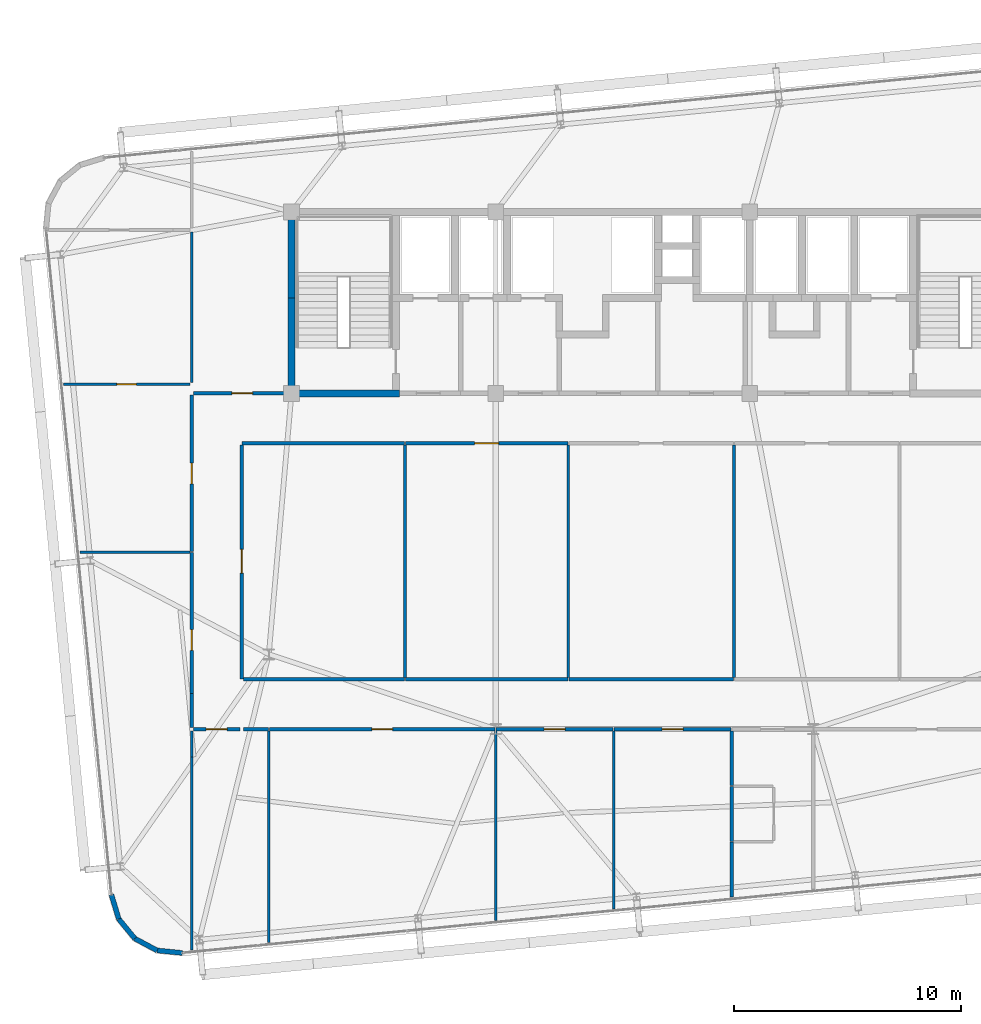
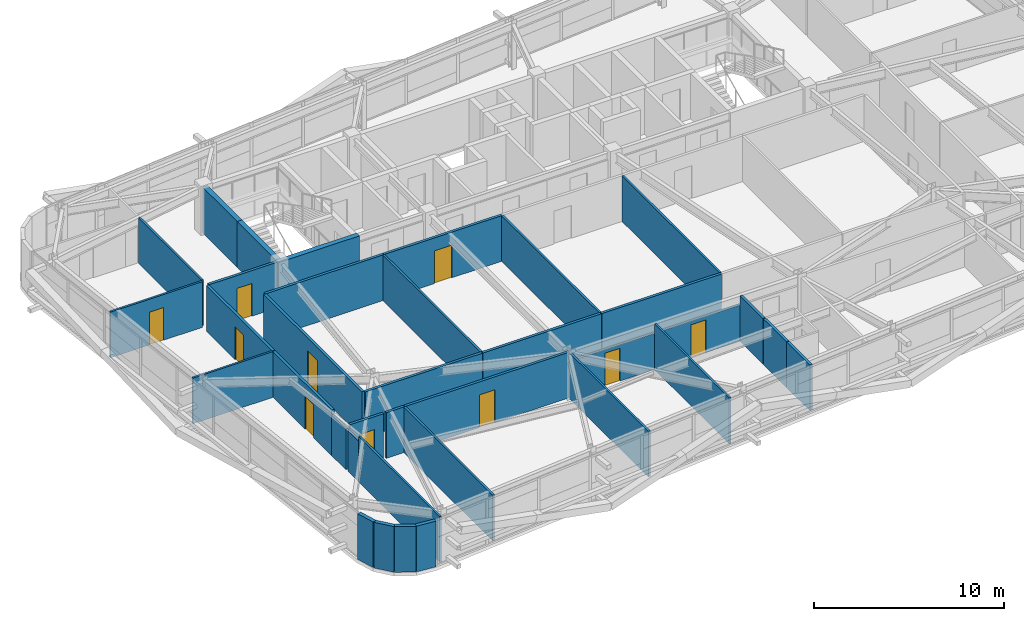
# One storey, part 46 of 52: 36 walls, 10 doors, 10 openings.
"""IFC4 building model written with IfcOpenShell, lengths in metres."""

from ifc_helpers import new_model, si_unit, direction, frame, frame_2d, origin, place, context, subcontext, project, spatial, rectangle, extrude, source, transform, mapped, material, layer, layer_set, type_object, element, fill, save


model = new_model("IFC4")

# Units and contexts
model_context = context("Model", 3, precision=1e-05, world=origin(), true_north=direction((0.0, 1.0)))
body_context = subcontext(model_context, "Body", "Model", "MODEL_VIEW")
ifc_project = project(units=[si_unit("LENGTHUNIT", "METRE"), si_unit("AREAUNIT", "SQUARE_METRE"), si_unit("VOLUMEUNIT", "CUBIC_METRE"), si_unit("PLANEANGLEUNIT", "RADIAN"), si_unit("MASSUNIT", "GRAM", prefix="KILO")], contexts=[model_context])

# Site, building, storey
site_placement = place(None, origin())
site = spatial("IfcSite", under=ifc_project, at=site_placement, CompositionType="ELEMENT")
building_placement = place(site_placement, origin())
building = spatial("IfcBuilding", under=site, at=building_placement, Name="Taldren Reach Tower", CompositionType="ELEMENT")
storey_placement = place(building_placement, frame((0.0, 0.0, 96.60009765625)))
storey = spatial("IfcBuildingStorey", under=building, at=storey_placement, Name="L29", CompositionType="ELEMENT", Elevation=96.60009765625)

# Walls
ifc_material_1 = material(Name="Pale Champagne Anodised Aluminium Cladding", Category="aluminium")
ifc_layer_1 = layer(ifc_material_1, 0.04, Name="Pale Champagne Anodised Aluminium Cladding", Category="aluminium")
ifc_material_2 = material(Name="Mineral Wool Acoustic Insulation", Category="insulation")
ifc_layer_2 = layer(ifc_material_2, 0.06, Name="Mineral Wool Acoustic Insulation", Category="insulation")
ifc_material_3 = material(Name="Steel Gr 350 (C350L0)", Category="steel")
ifc_layer_3 = layer(ifc_material_3, 0.12, Name="Steel Gr 350 (C350L0)", Category="steel")
ifc_layer_set_1 = layer_set([ifc_layer_1, ifc_layer_2, ifc_layer_3], Name="Pale Champagne Aluminium Cladding and Steel Gr 350 Stud Framing")
wall_type_1 = type_object("IfcWallType", Name="EW-CRN-220", PredefinedType="SOLIDWALL", material=ifc_layer_set_1)
shared_shape_1 = source(origin(), body_context, "Body", "SweptSolid", [
    extrude(rectangle(XDim=1.115966796875, YDim=0.219970703125, at=frame_2d((0.55810546875, 0.0))), origin(), (0.0, 0.0, 1.0), 2.929931640625),
])
for number, where, z_axis, x_axis, name in (
    (1, (11.062255859375, 1.90185546875, 0.0), (0.0, 0.0, 1.0), (0.289855603468, -0.957070388811, 0.0), "Rounded-corner pale-metal facade wall L29-SW1"),
    (2, (11.3857421875, 0.833740234375, 0.0), (0.0, 0.0, 1.0), (0.633988016432, -0.773342870285, 0.0), "Rounded-corner pale-metal facade wall L29-SW2"),
    (3, (13.0771484375, -0.5556640625, 0.0), (0.0, 0.0, 1.0), (0.995142755671, -0.09844234778, 0.0), "Rounded-corner pale-metal facade wall L29-SW4"),
):
    element("IfcWall", number, at=place(storey_placement, frame(where, z_axis=z_axis, x_axis=x_axis)), inside=storey, type_object=wall_type_1, Name=name, PredefinedType="SOLIDWALL", context=body_context, shape_type="MappedRepresentation", body=[
        mapped(shared_shape_1, transform((0.0, 0.0, 0.0), scale=1.0)),
    ])
shared_shape_2 = source(origin(), body_context, "Body", "SweptSolid", [
    extrude(rectangle(XDim=1.11572265625, YDim=0.219970703125, at=frame_2d((0.557861328125, 0.0))), origin(), (0.0, 0.0, 1.0), 2.929931640625),
])
wall_1_placement = place(storey_placement, frame((12.09326171875, -0.029296875, 0.0), z_axis=(0.0, 0.0, 1.0), x_axis=(0.881746547635, -0.471723463201, 0.0)))
element("IfcWall", 4, at=wall_1_placement, inside=storey, type_object=wall_type_1, Name="Rounded-corner pale-metal facade wall L29-SW3", PredefinedType="SOLIDWALL", context=body_context, shape_type="MappedRepresentation", body=[
    mapped(shared_shape_2, transform((0.0, 0.0, 0.0), scale=1.0)),
])

# Wall, opening, door
ifc_material_4 = material(Name="Fire-Rated Acoustic Plasterboard Stud Wall", Category="gypsum")
ifc_layer_4 = layer(ifc_material_4, 0.159912109375)
ifc_layer_set_2 = layer_set([ifc_layer_4], Name="Fire-Rated Acoustic Plasterboard Stud Wall")
wall_type_2 = type_object("IfcWallType", Name="IW-FIRE-160", PredefinedType="PARTITIONING", material=ifc_layer_set_2)
shared_shape_3 = source(origin(), body_context, "Body", "SweptSolid", [
    extrude(rectangle(XDim=10.2998046875, YDim=0.159912109375, at=frame_2d((5.14990234375, 0.0))), origin(), (0.0, 0.0, 1.0), 2.929931640625),
])
wall_2_placement = place(storey_placement, frame((16.800048828125, 21.719970703125, 0.0), z_axis=(0.0, 0.0, 1.0), x_axis=(0.0, -1.0, 0.0)))
wall_2 = element("IfcWall", 5, at=wall_2_placement, inside=storey, type_object=wall_type_2, Name="Interior Partition Wall W-INT-L29-047", PredefinedType="PARTITIONING", context=body_context, shape_type="MappedRepresentation", body=[
    mapped(shared_shape_3, transform((0.0, 0.0, 0.0), scale=1.0)),
])
shared_shape_4 = source(origin(), body_context, "Body", "SweptSolid", [
    extrude(rectangle(XDim=1.050048828125, YDim=2.10009765625, at=frame_2d((0.52490234375, 1.050048828125))), frame((0.0, 0.08984375, 0.0), z_axis=(0.0, -1.0, 0.0), x_axis=(1.0, 0.0, 0.0)), (0.0, 0.0, 1.0), 0.179931640625),
])
opening_1_placement = place(wall_2_placement, frame((4.594970703125, 0.0, 0.0)))
opening_1 = element("IfcOpeningElement", 6, at=opening_1_placement, cuts=wall_2, Name="Opening DF-105", PredefinedType="OPENING", context=body_context, shape_type="MappedRepresentation", body=[
    mapped(shared_shape_4, transform((0.0, 0.0, 0.0), scale=1.0)),
])
ifc_material_5 = material(Name="Fire-Rated Care and Stair Exit Door")
door_type_1 = type_object("IfcDoorType", Name="ID-FIRE-105", OperationType="NOTDEFINED", PredefinedType="DOOR", material=ifc_material_5)
shared_shape_5 = source(origin(), body_context, "Body", "SweptSolid", [
    extrude(rectangle(XDim=1.050048828125, YDim=2.10009765625, at=frame_2d((0.52490234375, 1.050048828125))), frame((0.0, 0.02490234375, 0.0), z_axis=(0.0, -1.0, 0.0), x_axis=(1.0, 0.0, 0.0)), (0.0, 0.0, 1.0), 0.050048828125),
])
door_1_placement = place(opening_1_placement, origin())
door_1 = element("IfcDoor", 7, at=door_1_placement, inside=storey, type_object=door_type_1, Name="Interior Door DR-L29-009", OperationType="SINGLE_SWING_RIGHT", OverallHeight=2.10009765625, OverallWidth=1.050048828125, PredefinedType="DOOR", context=body_context, shape_type="MappedRepresentation", body=[
    mapped(shared_shape_5, transform((0.0, 0.0, 0.0), scale=1.0)),
])
fill(opening_1, door_1)

shared_shape_6 = source(origin(), body_context, "Body", "SweptSolid", [
    extrude(rectangle(XDim=2.0400390625, YDim=0.159912109375, at=frame_2d((1.02001953125, 0.0))), origin(), (0.0, 0.0, 1.0), 2.929931640625),
])
wall_3_placement = place(storey_placement, frame((16.719970703125, 9.199951171875, 0.0), z_axis=(0.0, 0.0, 1.0), x_axis=(-1.0, 0.0, 0.0)))
wall_3 = element("IfcWall", 8, at=wall_3_placement, inside=storey, type_object=wall_type_2, Name="Interior Partition Wall W-INT-L29-054", PredefinedType="PARTITIONING", context=body_context, shape_type="MappedRepresentation", body=[
    mapped(shared_shape_6, transform((0.0, 0.0, 0.0), scale=1.0)),
])
shared_shape_7 = source(origin(), body_context, "Body", "SweptSolid", [
    extrude(rectangle(XDim=0.919921875, YDim=2.10009765625, at=frame_2d((0.4599609375, 1.050048828125))), frame((0.0, 0.08984375, 0.0), z_axis=(0.0, -1.0, 0.0), x_axis=(1.0, 0.0, 0.0)), (0.0, 0.0, 1.0), 0.179931640625),
])
opening_2_placement = place(wall_3_placement, frame((0.56005859375, 0.0, 0.0)))
opening_2 = element("IfcOpeningElement", 9, at=opening_2_placement, cuts=wall_3, Name="Opening DI-092", PredefinedType="OPENING", context=body_context, shape_type="MappedRepresentation", body=[
    mapped(shared_shape_7, transform((0.0, 0.0, 0.0), scale=1.0)),
])
ifc_material_6 = material(Name="Solid-Core Timber Suite Door", Category="wood")
door_type_2 = type_object("IfcDoorType", Name="ID-INT-092", OperationType="NOTDEFINED", PredefinedType="DOOR", material=ifc_material_6)
shared_shape_8 = source(origin(), body_context, "Body", "SweptSolid", [
    extrude(rectangle(XDim=0.919921875, YDim=2.10009765625, at=frame_2d((0.4599609375, 1.050048828125))), frame((0.0, 0.02490234375, 0.0), z_axis=(0.0, -1.0, 0.0), x_axis=(1.0, 0.0, 0.0)), (0.0, 0.0, 1.0), 0.050048828125),
])
door_2_placement = place(opening_2_placement, origin())
door_2 = element("IfcDoor", 10, at=door_2_placement, inside=storey, type_object=door_type_2, Name="Interior Door DR-L29-014", OperationType="SINGLE_SWING_LEFT", OverallHeight=2.10009765625, OverallWidth=0.919921875, PredefinedType="DOOR", context=body_context, shape_type="MappedRepresentation", body=[
    mapped(shared_shape_8, transform((0.0, 0.0, 0.0), scale=1.0)),
])
fill(opening_2, door_2)

# Walls
shared_shape_9 = source(origin(), body_context, "Body", "SweptSolid", [
    extrude(rectangle(XDim=1.099853515625, YDim=0.159912109375, at=frame_2d((0.5498046875, 0.0))), origin(), (0.0, 0.0, 1.0), 2.929931640625),
])
wall_4_placement = place(storey_placement, frame((17.979736328125, 9.199951171875, 0.0), z_axis=(0.0, 0.0, 1.0), x_axis=(-1.0, 0.0, 0.0)))
element("IfcWall", 11, at=wall_4_placement, inside=storey, type_object=wall_type_2, Name="Interior Partition Wall W-INT-L29-067", PredefinedType="PARTITIONING", context=body_context, shape_type="MappedRepresentation", body=[
    mapped(shared_shape_9, transform((0.0, 0.0, 0.0), scale=1.0)),
])
shared_shape_10 = source(origin(), body_context, "Body", "SweptSolid", [
    extrude(rectangle(XDim=2.40966796875, YDim=0.159912109375, at=frame_2d((1.204833984375, 0.0))), origin(), (0.0, 0.0, 1.0), 2.929931640625),
])
wall_5_placement = place(storey_placement, frame((38.39990234375, 6.668212890625, 0.0), z_axis=(0.0, 0.0, 1.0), x_axis=(0.0, -1.0, 0.0)))
element("IfcWall", 12, at=wall_5_placement, inside=storey, type_object=wall_type_2, Name="Interior Partition Wall W-INT-L29-084", PredefinedType="PARTITIONING", context=body_context, shape_type="MappedRepresentation", body=[
    mapped(shared_shape_10, transform((0.0, 0.0, 0.0), scale=1.0)),
])

# Wall, opening, door
shared_shape_11 = source(origin(), body_context, "Body", "SweptSolid", [
    extrude(rectangle(XDim=9.95947265625, YDim=0.159912109375, at=frame_2d((4.979736328125, 0.0))), origin(), (0.0, 0.0, 1.0), 2.929931640625),
])
wall_6_placement = place(storey_placement, frame((27.979736328125, 9.199951171875, 0.0), z_axis=(0.0, 0.0, 1.0), x_axis=(-1.0, 0.0, 0.0)))
wall_6 = element("IfcWall", 13, at=wall_6_placement, inside=storey, type_object=wall_type_2, Name="Interior Partition Wall W-INT-L29-068", PredefinedType="PARTITIONING", context=body_context, shape_type="MappedRepresentation", body=[
    mapped(shared_shape_11, transform((0.0, 0.0, 0.0), scale=1.0)),
])
opening_3_placement = place(wall_6_placement, frame((4.519775390625, 0.0, 0.0)))
opening_3 = element("IfcOpeningElement", 14, at=opening_3_placement, cuts=wall_6, Name="Opening DI-092", PredefinedType="OPENING", context=body_context, shape_type="MappedRepresentation", body=[
    mapped(shared_shape_7, transform((0.0, 0.0, 0.0), scale=1.0)),
])
door_3_placement = place(opening_3_placement, origin())
door_3 = element("IfcDoor", 15, at=door_3_placement, inside=storey, type_object=door_type_2, Name="Interior Door DR-L29-021", OperationType="SINGLE_SWING_RIGHT", OverallHeight=2.10009765625, OverallWidth=0.919921875, PredefinedType="DOOR", context=body_context, shape_type="MappedRepresentation", body=[
    mapped(shared_shape_8, transform((0.0, 0.0, 0.0), scale=1.0)),
])
fill(opening_3, door_3)

# Wall
shared_shape_12 = source(origin(), body_context, "Body", "SweptSolid", [
    extrude(rectangle(XDim=7.159423828125, YDim=0.159912109375, at=frame_2d((3.57958984375, 0.0))), origin(), (0.0, 0.0, 1.0), 2.929931640625),
])
wall_7_placement = place(storey_placement, frame((23.979736328125, 21.800048828125, 0.0), z_axis=(0.0, 0.0, 1.0), x_axis=(-1.0, 0.0, 0.0)))
element("IfcWall", 16, at=wall_7_placement, inside=storey, type_object=wall_type_2, Name="Interior Partition Wall W-INT-L29-048", PredefinedType="PARTITIONING", context=body_context, shape_type="MappedRepresentation", body=[
    mapped(shared_shape_12, transform((0.0, 0.0, 0.0), scale=1.0)),
])

# Wall, opening, door
wall_8_placement = place(storey_placement, frame((31.1796875, 21.800048828125, 0.0), z_axis=(0.0, 0.0, 1.0), x_axis=(-1.0, 0.0, 0.0)))
wall_8 = element("IfcWall", 17, at=wall_8_placement, inside=storey, type_object=wall_type_2, Name="Interior Partition Wall W-INT-L29-049", PredefinedType="PARTITIONING", context=body_context, shape_type="MappedRepresentation", body=[
    mapped(shared_shape_12, transform((0.0, 0.0, 0.0), scale=1.0)),
])
opening_4_placement = place(wall_8_placement, frame((3.0546875, 0.0, 0.0)))
opening_4 = element("IfcOpeningElement", 18, at=opening_4_placement, cuts=wall_8, Name="Opening DF-105", PredefinedType="OPENING", context=body_context, shape_type="MappedRepresentation", body=[
    mapped(shared_shape_4, transform((0.0, 0.0, 0.0), scale=1.0)),
])
door_4_placement = place(opening_4_placement, origin())
door_4 = element("IfcDoor", 19, at=door_4_placement, inside=storey, type_object=door_type_1, Name="Interior Door DR-L29-010", OperationType="SINGLE_SWING_LEFT", OverallHeight=2.10009765625, OverallWidth=1.050048828125, PredefinedType="DOOR", context=body_context, shape_type="MappedRepresentation", body=[
    mapped(shared_shape_5, transform((0.0, 0.0, 0.0), scale=1.0)),
])
fill(opening_4, door_4)

# Walls
wall_9_placement = place(storey_placement, frame((24.020263671875, 11.39990234375, 0.0), z_axis=(0.0, 0.0, 1.0), x_axis=(1.0, 0.0, 0.0)))
element("IfcWall", 20, at=wall_9_placement, inside=storey, type_object=wall_type_2, Name="Interior Partition Wall W-INT-L29-063", PredefinedType="PARTITIONING", context=body_context, shape_type="MappedRepresentation", body=[
    mapped(shared_shape_12, transform((0.0, 0.0, 0.0), scale=1.0)),
])
shared_shape_13 = source(origin(), body_context, "Body", "SweptSolid", [
    extrude(rectangle(XDim=7.259521484375, YDim=0.159912109375, at=frame_2d((3.6298828125, 0.0))), origin(), (0.0, 0.0, 1.0), 2.929931640625),
])
wall_10_placement = place(storey_placement, frame((31.22021484375, 11.39990234375, 0.0), z_axis=(0.0, 0.0, 1.0), x_axis=(1.0, 0.0, 0.0)))
element("IfcWall", 21, at=wall_10_placement, inside=storey, type_object=wall_type_2, Name="Interior Partition Wall W-INT-L29-064", PredefinedType="PARTITIONING", context=body_context, shape_type="MappedRepresentation", body=[
    mapped(shared_shape_13, transform((0.0, 0.0, 0.0), scale=1.0)),
])
shared_shape_14 = source(origin(), body_context, "Body", "SweptSolid", [
    extrude(rectangle(XDim=7.099853515625, YDim=0.159912109375, at=frame_2d((3.5498046875, 0.0))), origin(), (0.0, 0.0, 1.0), 2.929931640625),
])
wall_11_placement = place(storey_placement, frame((16.8798828125, 11.39990234375, 0.0), z_axis=(0.0, 0.0, 1.0), x_axis=(1.0, 0.0, 0.0)))
element("IfcWall", 22, at=wall_11_placement, inside=storey, type_object=wall_type_2, Name="Interior Partition Wall W-INT-L29-062", PredefinedType="PARTITIONING", context=body_context, shape_type="MappedRepresentation", body=[
    mapped(shared_shape_14, transform((0.0, 0.0, 0.0), scale=1.0)),
])
ifc_material_7 = material(Name="Insulated Residential Stud Partition", Category="gypsum")
ifc_layer_5 = layer(ifc_material_7, 0.1201171875)
ifc_layer_set_3 = layer_set([ifc_layer_5], Name="Insulated Residential Stud Partition")
wall_type_3 = type_object("IfcWallType", Name="IW-PART-120", PredefinedType="PARTITIONING", material=ifc_layer_set_3)
shared_shape_15 = source(origin(), body_context, "Body", "SweptSolid", [
    extrude(rectangle(XDim=10.239990234375, YDim=0.1201171875, at=frame_2d((5.1201171875, 0.0))), origin(), (0.0, 0.0, 1.0), 2.929931640625),
])
for number, where, z_axis, x_axis, name in (
    (23, (24.0, 21.719970703125, 0.0), (0.0, 0.0, 1.0), (0.0, -1.0, 0.0), "Interior Partition Wall W-INT-L29-074"),
    (24, (31.199951171875, 21.719970703125, 0.0), (0.0, 0.0, 1.0), (0.0, -1.0, 0.0), "Interior Partition Wall W-INT-L29-075"),
    (25, (38.5, 21.719970703125, 0.0), (0.0, 0.0, 1.0), (0.0, -1.0, 0.0), "Interior Partition Wall W-INT-L29-076"),
):
    element("IfcWall", number, at=place(storey_placement, frame(where, z_axis=z_axis, x_axis=x_axis)), inside=storey, type_object=wall_type_3, Name=name, PredefinedType="PARTITIONING", context=body_context, shape_type="MappedRepresentation", body=[
        mapped(shared_shape_15, transform((0.0, 0.0, 0.0), scale=1.0)),
    ])

# Wall, opening, door
shared_shape_16 = source(origin(), body_context, "Body", "SweptSolid", [
    extrude(rectangle(XDim=6.899658203125, YDim=0.159912109375, at=frame_2d((3.44970703125, 0.0))), origin(), (0.0, 0.0, 1.0), 2.929931640625),
])
wall_12_placement = place(storey_placement, frame((14.60009765625, 17.020263671875, 0.0), z_axis=(0.0, 0.0, 1.0), x_axis=(0.0, 1.0, 0.0)))
wall_12 = element("IfcWall", 26, at=wall_12_placement, inside=storey, type_object=wall_type_2, Name="Interior Partition Wall W-INT-L29-057", PredefinedType="PARTITIONING", context=body_context, shape_type="MappedRepresentation", body=[
    mapped(shared_shape_16, transform((0.0, 0.0, 0.0), scale=1.0)),
])
opening_5_placement = place(wall_12_placement, frame((2.989990234375, 0.0, 0.0)))
opening_5 = element("IfcOpeningElement", 27, at=opening_5_placement, cuts=wall_12, Name="Opening DI-092", PredefinedType="OPENING", context=body_context, shape_type="MappedRepresentation", body=[
    mapped(shared_shape_7, transform((0.0, 0.0, 0.0), scale=1.0)),
])
door_5_placement = place(opening_5_placement, origin())
door_5 = element("IfcDoor", 28, at=door_5_placement, inside=storey, type_object=door_type_2, Name="Interior Door DR-L29-017", OperationType="SINGLE_SWING_RIGHT", OverallHeight=2.10009765625, OverallWidth=0.919921875, PredefinedType="DOOR", context=body_context, shape_type="MappedRepresentation", body=[
    mapped(shared_shape_8, transform((0.0, 0.0, 0.0), scale=1.0)),
])
fill(opening_5, door_5)

# Walls
ifc_material_8 = material(Name="Concrete S65 (65 MPa)", Category="concrete")
ifc_layer_6 = layer(ifc_material_8, 0.300048828125)
ifc_layer_set_4 = layer_set([ifc_layer_6], Name="Concrete S65 (65 MPa)")
wall_type_4 = type_object("IfcWallType", Name="IW-CORE-300", PredefinedType="SHEAR", material=ifc_layer_set_4)
shared_shape_17 = source(origin(), body_context, "Body", "SweptSolid", [
    extrude(rectangle(XDim=4.050048828125, YDim=0.300048828125, at=frame_2d((2.02490234375, 0.0))), origin(), (0.0, 0.0, 1.0), 2.929931640625),
])
wall_13_placement = place(storey_placement, frame((19.0, 24.14990234375, 0.0), z_axis=(0.0, 0.0, 1.0), x_axis=(0.0, 1.0, 0.0)))
element("IfcWall", 29, at=wall_13_placement, inside=storey, type_object=wall_type_4, Name="Rear Core Shear Wall W-CORE-L29-WEST1", PredefinedType="SHEAR", context=body_context, shape_type="MappedRepresentation", body=[
    mapped(shared_shape_17, transform((0.0, 0.0, 0.0), scale=1.0)),
])
shared_shape_18 = source(origin(), body_context, "Body", "SweptSolid", [
    extrude(rectangle(XDim=3.650146484375, YDim=0.300048828125, at=frame_2d((1.8251953125, 0.0))), origin(), (0.0, 0.0, 1.0), 2.929931640625),
])
wall_14_placement = place(storey_placement, frame((19.0, 28.199951171875, 0.0), z_axis=(0.0, 0.0, 1.0), x_axis=(0.0, 1.0, 0.0)))
element("IfcWall", 30, at=wall_14_placement, inside=storey, type_object=wall_type_4, Name="Rear Core Shear Wall W-CORE-L29-WEST2", PredefinedType="SHEAR", context=body_context, shape_type="MappedRepresentation", body=[
    mapped(shared_shape_18, transform((0.0, 0.0, 0.0), scale=1.0)),
])
shared_shape_19 = source(origin(), body_context, "Body", "SweptSolid", [
    extrude(rectangle(XDim=4.89990234375, YDim=0.300048828125, at=frame_2d((2.449951171875, 0.0))), origin(), (0.0, 0.0, 1.0), 2.929931640625),
])
wall_15_placement = place(storey_placement, frame((18.85009765625, 24.0, 0.0), z_axis=(0.0, 0.0, 1.0), x_axis=(1.0, 0.0, 0.0)))
element("IfcWall", 31, at=wall_15_placement, inside=storey, type_object=wall_type_4, Name="Rear Core Shear Wall W-INT-L29-003", PredefinedType="SHEAR", context=body_context, shape_type="MappedRepresentation", body=[
    mapped(shared_shape_19, transform((0.0, 0.0, 0.0), scale=1.0)),
])
shared_shape_20 = source(origin(), body_context, "Body", "SweptSolid", [
    extrude(rectangle(XDim=1.498291015625, YDim=0.159912109375, at=frame_2d((0.7490234375, 0.0))), origin(), (0.0, 0.0, 1.0), 2.622802734375),
])
wall_16_placement = place(storey_placement, frame((14.60009765625, 9.280029296875, 0.0), z_axis=(0.0, 0.0, 1.0), x_axis=(0.0, 1.0, 0.0)))
element("IfcWall", 32, at=wall_16_placement, inside=storey, type_object=wall_type_2, Name="Interior Partition Wall W-INT-L29-056", PredefinedType="PARTITIONING", context=body_context, shape_type="MappedRepresentation", body=[
    mapped(shared_shape_20, transform((0.0, 0.0, 0.0), scale=1.0)),
])

# Wall, opening, door
shared_shape_21 = source(origin(), body_context, "Body", "SweptSolid", [
    extrude(rectangle(XDim=4.170166015625, YDim=0.159912109375, at=frame_2d((2.0849609375, 0.0))), origin(), (0.0, 0.0, 1.0), 2.929931640625),
])
wall_17_placement = place(storey_placement, frame((14.679931640625, 24.0, 0.0), z_axis=(0.0, 0.0, 1.0), x_axis=(1.0, 0.0, 0.0)))
wall_17 = element("IfcWall", 33, at=wall_17_placement, inside=storey, type_object=wall_type_2, Name="Interior Partition Wall W-INT-L29-060", PredefinedType="PARTITIONING", context=body_context, shape_type="MappedRepresentation", body=[
    mapped(shared_shape_21, transform((0.0, 0.0, 0.0), scale=1.0)),
])
opening_6_placement = place(wall_17_placement, frame((1.68994140625, 0.0, 0.0)))
opening_6 = element("IfcOpeningElement", 34, at=opening_6_placement, cuts=wall_17, Name="Opening DI-092", PredefinedType="OPENING", context=body_context, shape_type="MappedRepresentation", body=[
    mapped(shared_shape_7, transform((0.0, 0.0, 0.0), scale=1.0)),
])
door_6_placement = place(opening_6_placement, origin())
door_6 = element("IfcDoor", 35, at=door_6_placement, inside=storey, type_object=door_type_2, Name="Interior Door DR-L29-020", OperationType="SINGLE_SWING_LEFT", OverallHeight=2.10009765625, OverallWidth=0.919921875, PredefinedType="DOOR", context=body_context, shape_type="MappedRepresentation", body=[
    mapped(shared_shape_8, transform((0.0, 0.0, 0.0), scale=1.0)),
])
fill(opening_6, door_6)

# Walls
shared_shape_22 = source(origin(), body_context, "Body", "SweptSolid", [
    extrude(rectangle(XDim=8.3486328125, YDim=0.1201171875, at=frame_2d((4.17431640625, 0.0))), origin(), (0.0, 0.0, 1.0), 2.929931640625),
])
wall_18_placement = place(storey_placement, frame((28.0, 9.1201171875, 0.0), z_axis=(0.0, 0.0, 1.0), x_axis=(0.0, -1.0, 0.0)))
element("IfcWall", 36, at=wall_18_placement, inside=storey, type_object=wall_type_3, Name="Interior Partition Wall W-INT-L29-080", PredefinedType="PARTITIONING", context=body_context, shape_type="MappedRepresentation", body=[
    mapped(shared_shape_22, transform((0.0, 0.0, 0.0), scale=1.0)),
])
shared_shape_23 = source(origin(), body_context, "Body", "SweptSolid", [
    extrude(rectangle(XDim=8.49951171875, YDim=0.1201171875, at=frame_2d((4.249755859375, 0.0))), origin(), (0.0, 0.0, 1.0), 2.929931640625),
])
wall_19_placement = place(storey_placement, frame((14.60009765625, -0.52490234375, 0.0), z_axis=(0.0, 0.0, 1.0), x_axis=(0.0, 1.0, 0.0)))
element("IfcWall", 37, at=wall_19_placement, inside=storey, type_object=wall_type_3, Name="Interior Partition Wall W-INT-L29-079", PredefinedType="PARTITIONING", context=body_context, shape_type="MappedRepresentation", body=[
    mapped(shared_shape_23, transform((0.0, 0.0, 0.0), scale=1.0)),
])

# Wall, opening, door
shared_shape_24 = source(origin(), body_context, "Body", "SweptSolid", [
    extrude(rectangle(XDim=6.201416015625, YDim=0.159912109375, at=frame_2d((3.1005859375, 0.0))), origin(), (0.0, 0.0, 1.0), 2.929931640625),
])
wall_20_placement = place(storey_placement, frame((14.60009765625, 10.7783203125, 0.0), z_axis=(0.0, 0.0, 1.0), x_axis=(0.0, 1.0, 0.0)))
wall_20 = element("IfcWall", 38, at=wall_20_placement, inside=storey, type_object=wall_type_2, Name="Interior Partition Wall W-INT-L29-056 part 2", PredefinedType="PARTITIONING", context=body_context, shape_type="MappedRepresentation", body=[
    mapped(shared_shape_24, transform((0.0, 0.0, 0.0), scale=1.0)),
])
opening_7_placement = place(wall_20_placement, frame((1.8916015625, 0.0, 0.0)))
opening_7 = element("IfcOpeningElement", 39, at=opening_7_placement, cuts=wall_20, Name="Opening DI-092", PredefinedType="OPENING", context=body_context, shape_type="MappedRepresentation", body=[
    mapped(shared_shape_7, transform((0.0, 0.0, 0.0), scale=1.0)),
])
door_7_placement = place(opening_7_placement, origin())
door_7 = element("IfcDoor", 40, at=door_7_placement, inside=storey, type_object=door_type_2, Name="Interior Door DR-L29-016", OperationType="SINGLE_SWING_LEFT", OverallHeight=2.10009765625, OverallWidth=0.919921875, PredefinedType="DOOR", context=body_context, shape_type="MappedRepresentation", body=[
    mapped(shared_shape_8, transform((0.0, 0.0, 0.0), scale=1.0)),
])
fill(opening_7, door_7)

# Walls
shared_shape_25 = source(origin(), body_context, "Body", "SweptSolid", [
    extrude(rectangle(XDim=9.3251953125, YDim=0.1201171875, at=frame_2d((4.66259765625, 0.0))), origin(), (0.0, 0.0, 1.0), 2.929931640625),
])
wall_21_placement = place(storey_placement, frame((18.0, 9.117919921875, 0.0), z_axis=(0.0, 0.0, 1.0), x_axis=(0.0, -1.0, 0.0)))
element("IfcWall", 41, at=wall_21_placement, inside=storey, type_object=wall_type_3, Name="Interior Partition Wall W-INT-L29-078", PredefinedType="PARTITIONING", context=body_context, shape_type="MappedRepresentation", body=[
    mapped(shared_shape_25, transform((0.0, 0.0, 0.0), scale=1.0)),
])
shared_shape_26 = source(origin(), body_context, "Body", "SweptSolid", [
    extrude(rectangle(XDim=7.8388671875, YDim=0.1201171875, at=frame_2d((3.91943359375, 0.0))), origin(), (0.0, 0.0, 1.0), 2.929931640625),
])
wall_22_placement = place(storey_placement, frame((33.199951171875, 9.1201171875, 0.0), z_axis=(0.0, 0.0, 1.0), x_axis=(0.0, -1.0, 0.0)))
element("IfcWall", 42, at=wall_22_placement, inside=storey, type_object=wall_type_3, Name="Interior Partition Wall W-INT-L29-081", PredefinedType="PARTITIONING", context=body_context, shape_type="MappedRepresentation", body=[
    mapped(shared_shape_26, transform((0.0, 0.0, 0.0), scale=1.0)),
])
shared_shape_27 = source(origin(), body_context, "Body", "SweptSolid", [
    extrude(rectangle(XDim=2.42724609375, YDim=0.159912109375, at=frame_2d((1.213623046875, 0.0))), origin(), (0.0, 0.0, 1.0), 2.929931640625),
])
wall_23_placement = place(storey_placement, frame((38.39990234375, 4.21826171875, 0.0), z_axis=(0.0, 0.0, 1.0), x_axis=(0.0, -1.0, 0.0)))
element("IfcWall", 43, at=wall_23_placement, inside=storey, type_object=wall_type_2, Name="Interior Partition Wall W-INT-L29-082", PredefinedType="PARTITIONING", context=body_context, shape_type="MappedRepresentation", body=[
    mapped(shared_shape_27, transform((0.0, 0.0, 0.0), scale=1.0)),
])
shared_shape_28 = source(origin(), body_context, "Body", "SweptSolid", [
    extrude(rectangle(XDim=2.41162109375, YDim=0.159912109375, at=frame_2d((1.205810546875, 0.0))), origin(), (0.0, 0.0, 1.0), 2.929931640625),
])
wall_24_placement = place(storey_placement, frame((38.39990234375, 9.1201171875, 0.0), z_axis=(0.0, 0.0, 1.0), x_axis=(0.0, -1.0, 0.0)))
element("IfcWall", 44, at=wall_24_placement, inside=storey, type_object=wall_type_2, Name="Interior Partition Wall W-INT-L29-083", PredefinedType="PARTITIONING", context=body_context, shape_type="MappedRepresentation", body=[
    mapped(shared_shape_28, transform((0.0, 0.0, 0.0), scale=1.0)),
])
shared_shape_29 = source(origin(), body_context, "Body", "SweptSolid", [
    extrude(rectangle(XDim=4.83984375, YDim=0.1201171875, at=frame_2d((2.419921875, 0.0))), origin(), (0.0, 0.0, 1.0), 2.929931640625),
])
wall_25_placement = place(storey_placement, frame((9.68017578125, 17.0, 0.0), z_axis=(0.0, 0.0, 1.0), x_axis=(1.0, 0.0, 0.0)))
element("IfcWall", 45, at=wall_25_placement, inside=storey, type_object=wall_type_3, Name="Interior Partition Wall W-INT-L29-091", PredefinedType="PARTITIONING", context=body_context, shape_type="MappedRepresentation", body=[
    mapped(shared_shape_29, transform((0.0, 0.0, 0.0), scale=1.0)),
])

# Wall, opening, door
shared_shape_30 = source(origin(), body_context, "Body", "SweptSolid", [
    extrude(rectangle(XDim=5.5654296875, YDim=0.1201171875, at=frame_2d((2.78271484375, 0.0))), origin(), (0.0, 0.0, 1.0), 2.929931640625),
])
wall_26_placement = place(storey_placement, frame((8.95458984375, 24.39990234375, 0.0), z_axis=(0.0, 0.0, 1.0), x_axis=(1.0, 0.0, 0.0)))
wall_26 = element("IfcWall", 46, at=wall_26_placement, inside=storey, type_object=wall_type_3, Name="Interior Partition Wall W-INT-L29-092", PredefinedType="PARTITIONING", context=body_context, shape_type="MappedRepresentation", body=[
    mapped(shared_shape_30, transform((0.0, 0.0, 0.0), scale=1.0)),
])
shared_shape_31 = source(origin(), body_context, "Body", "SweptSolid", [
    extrude(rectangle(XDim=0.860107421875, YDim=2.10009765625, at=frame_2d((0.43017578125, 1.050048828125))), frame((0.0, 0.070068359375, 0.0), z_axis=(0.0, -1.0, 0.0), x_axis=(1.0, 0.0, 0.0)), (0.0, 0.0, 1.0), 0.14013671875),
])
opening_8_placement = place(wall_26_placement, frame((2.352783203125, 0.0, 0.0)))
opening_8 = element("IfcOpeningElement", 47, at=opening_8_placement, cuts=wall_26, Name="Opening DI-086", PredefinedType="OPENING", context=body_context, shape_type="MappedRepresentation", body=[
    mapped(shared_shape_31, transform((0.0, 0.0, 0.0), scale=1.0)),
])
ifc_material_9 = material(Name="Timber Bathroom Door", Category="wood")
door_type_3 = type_object("IfcDoorType", Name="ID-INT-086", OperationType="NOTDEFINED", PredefinedType="DOOR", material=ifc_material_9)
shared_shape_32 = source(origin(), body_context, "Body", "SweptSolid", [
    extrude(rectangle(XDim=0.860107421875, YDim=2.10009765625, at=frame_2d((0.43017578125, 1.050048828125))), frame((0.0, 0.02490234375, 0.0), z_axis=(0.0, -1.0, 0.0), x_axis=(1.0, 0.0, 0.0)), (0.0, 0.0, 1.0), 0.050048828125),
])
door_8_placement = place(opening_8_placement, frame((0.860107421875, 0.0, 0.0), z_axis=(0.0, 0.0, 1.0), x_axis=(-1.0, 0.0, 0.0)))
door_8 = element("IfcDoor", 48, at=door_8_placement, inside=storey, type_object=door_type_3, Name="Interior Door DR-L29-027", OperationType="SINGLE_SWING_LEFT", OverallHeight=2.10009765625, OverallWidth=0.860107421875, PredefinedType="DOOR", context=body_context, shape_type="MappedRepresentation", body=[
    mapped(shared_shape_32, transform((0.0, 0.0, 0.0), scale=1.0)),
])
fill(opening_8, door_8)

# Wall
shared_shape_33 = source(origin(), body_context, "Body", "SweptSolid", [
    extrude(rectangle(XDim=6.64013671875, YDim=0.1201171875, at=frame_2d((3.320068359375, 0.0))), origin(), (0.0, 0.0, 1.0), 2.929931640625),
])
wall_27_placement = place(storey_placement, frame((14.60009765625, 31.1201171875, 0.0), z_axis=(0.0, 0.0, 1.0), x_axis=(0.0, -1.0, 0.0)))
element("IfcWall", 49, at=wall_27_placement, inside=storey, type_object=wall_type_3, Name="Interior Partition Wall W-INT-L29-094", PredefinedType="PARTITIONING", context=body_context, shape_type="MappedRepresentation", body=[
    mapped(shared_shape_33, transform((0.0, 0.0, 0.0), scale=1.0)),
])

# Wall, opening, door
shared_shape_34 = source(origin(), body_context, "Body", "SweptSolid", [
    extrude(rectangle(XDim=5.159423828125, YDim=0.159912109375, at=frame_2d((2.57958984375, 0.0))), origin(), (0.0, 0.0, 1.0), 2.327880859375),
])
wall_28_placement = place(storey_placement, frame((33.1796875, 9.199951171875, 0.0), z_axis=(0.0, 0.0, 1.0), x_axis=(-1.0, 0.0, 0.0)))
wall_28 = element("IfcWall", 50, at=wall_28_placement, inside=storey, type_object=wall_type_2, Name="Interior Partition Wall W-INT-L29-069", PredefinedType="PARTITIONING", context=body_context, shape_type="MappedRepresentation", body=[
    mapped(shared_shape_34, transform((0.0, 0.0, 0.0), scale=1.0)),
])
opening_9_placement = place(wall_28_placement, frame((2.119873046875, 0.0, 0.0)))
opening_9 = element("IfcOpeningElement", 51, at=opening_9_placement, cuts=wall_28, Name="Opening DI-092", PredefinedType="OPENING", context=body_context, shape_type="MappedRepresentation", body=[
    mapped(shared_shape_7, transform((0.0, 0.0, 0.0), scale=1.0)),
])
door_9_placement = place(opening_9_placement, origin())
door_9 = element("IfcDoor", 52, at=door_9_placement, inside=storey, type_object=door_type_2, Name="Interior Door DR-L29-022", OperationType="SINGLE_SWING_LEFT", OverallHeight=2.10009765625, OverallWidth=0.919921875, PredefinedType="DOOR", context=body_context, shape_type="MappedRepresentation", body=[
    mapped(shared_shape_8, transform((0.0, 0.0, 0.0), scale=1.0)),
])
fill(opening_9, door_9)

shared_shape_35 = source(origin(), body_context, "Body", "SweptSolid", [
    extrude(rectangle(XDim=5.15966796875, YDim=0.159912109375, at=frame_2d((2.579833984375, 0.0))), origin(), (0.0, 0.0, 1.0), 2.327880859375),
])
wall_29_placement = place(storey_placement, frame((38.3798828125, 9.199951171875, 0.0), z_axis=(0.0, 0.0, 1.0), x_axis=(-1.0, 0.0, 0.0)))
wall_29 = element("IfcWall", 53, at=wall_29_placement, inside=storey, type_object=wall_type_2, Name="Interior Partition Wall W-INT-L29-070", PredefinedType="PARTITIONING", context=body_context, shape_type="MappedRepresentation", body=[
    mapped(shared_shape_35, transform((0.0, 0.0, 0.0), scale=1.0)),
])
opening_10_placement = place(wall_29_placement, frame((2.119873046875, 0.0, 0.0)))
opening_10 = element("IfcOpeningElement", 54, at=opening_10_placement, cuts=wall_29, Name="Opening DI-092", PredefinedType="OPENING", context=body_context, shape_type="MappedRepresentation", body=[
    mapped(shared_shape_7, transform((0.0, 0.0, 0.0), scale=1.0)),
])
door_10_placement = place(opening_10_placement, origin())
door_10 = element("IfcDoor", 55, at=door_10_placement, inside=storey, type_object=door_type_2, Name="Interior Door DR-L29-023", OperationType="SINGLE_SWING_RIGHT", OverallHeight=2.10009765625, OverallWidth=0.919921875, PredefinedType="DOOR", context=body_context, shape_type="MappedRepresentation", body=[
    mapped(shared_shape_8, transform((0.0, 0.0, 0.0), scale=1.0)),
])
fill(opening_10, door_10)

# Wall
shared_shape_36 = source(origin(), body_context, "Body", "SweptSolid", [
    extrude(rectangle(XDim=1.143310546875, YDim=0.1201171875, at=frame_2d((0.57177734375, 0.0))), origin(), (0.0, 0.0, 1.0), 2.622802734375),
])
wall_30_placement = place(storey_placement, frame((14.60009765625, 7.974609375, 0.0), z_axis=(0.0, 0.0, 1.0), x_axis=(0.0, 1.0, 0.0)))
element("IfcWall", 56, at=wall_30_placement, inside=storey, type_object=wall_type_3, Name="Interior Partition Wall W-INT-L29-079 part 2", PredefinedType="PARTITIONING", context=body_context, shape_type="MappedRepresentation", body=[
    mapped(shared_shape_36, transform((0.0, 0.0, 0.0), scale=1.0)),
])

save(model, "model.ifc")
